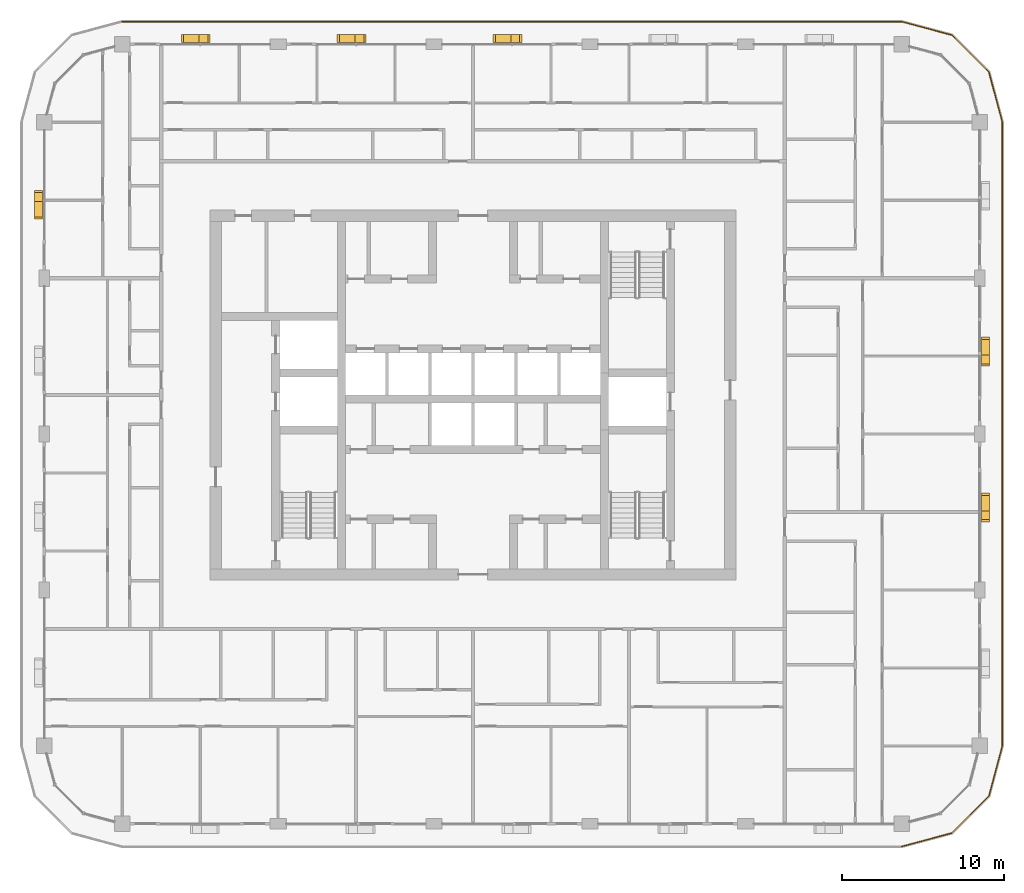
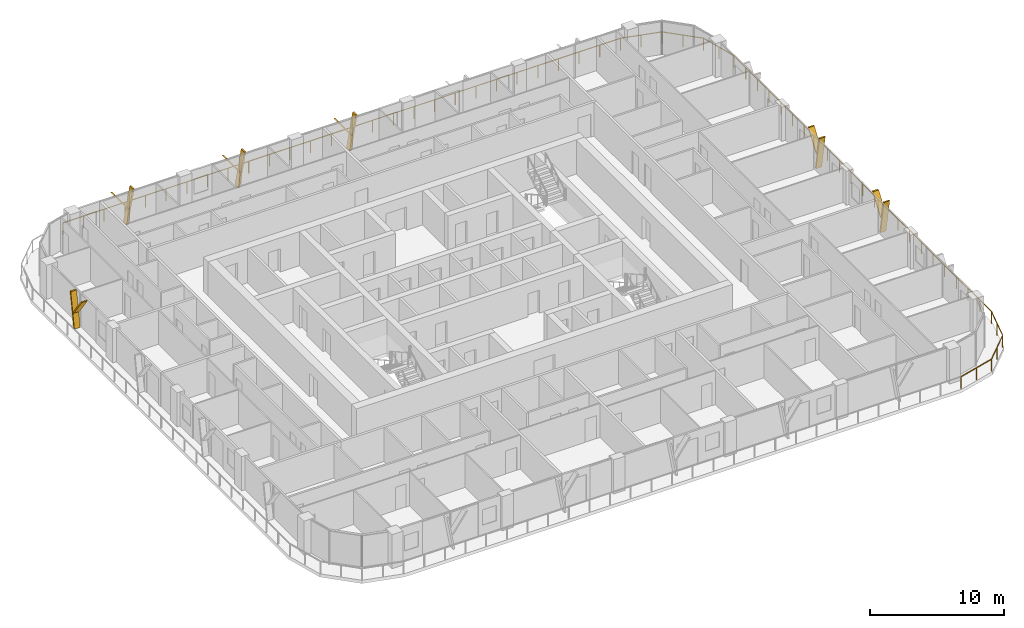
# One storey, part 21 of 22: 12 shading devices, 1 railing.
"""IFC4 building model written with IfcOpenShell, lengths in metres."""

from ifc_helpers import new_model, si_unit, direction, frame, origin, origin_2d, place, context, subcontext, project, spatial, polyline, circle, outline, extrude, material, type_object, element, save


model = new_model("IFC4")

# Units and contexts
model_context = context("Model", 3, precision=1e-05, world=origin(), true_north=direction((0.0, 1.0)))
body_context = subcontext(model_context, "Body", "Model", "MODEL_VIEW")
ifc_project = project(units=[si_unit("LENGTHUNIT", "METRE"), si_unit("AREAUNIT", "SQUARE_METRE"), si_unit("VOLUMEUNIT", "CUBIC_METRE"), si_unit("PLANEANGLEUNIT", "RADIAN"), si_unit("MASSUNIT", "GRAM", prefix="KILO")], contexts=[model_context])

# Site, building, storey
site_placement = place(None, origin())
site = spatial("IfcSite", under=ifc_project, at=site_placement, CompositionType="ELEMENT")
building_placement = place(site_placement, origin())
building = spatial("IfcBuilding", under=site, at=building_placement, Name="Madar Terraces", CompositionType="ELEMENT")
storey_placement = place(building_placement, frame((0.0, 0.0, 199.89990234375)))
storey = spatial("IfcBuildingStorey", under=building, at=storey_placement, Name="L52", CompositionType="ELEMENT", Elevation=199.89990234375)

# Railing
ifc_material_1 = material(Name="Glass, safety glazing, with stainless steel posts", Category="steel")
railing_type = type_object("IfcRailingType", Name="Balcony glass guard 1100", PredefinedType="GUARDRAIL", material=ifc_material_1)
railing_placement = place(storey_placement, frame((57.60009765625, -1.39990234375, 0.0)))
element("IfcRailing", 1, at=railing_placement, inside=storey, type_object=railing_type, Name="Balcony guard", PredefinedType="GUARDRAIL", context=body_context, shape_type="SweptSolid", body=[
    extrude(circle(Radius=0.02392578125, at=origin_2d()), frame((0.0, 0.0, 1.076171875), z_axis=(0.965928696102, 0.258808334578, 0.0), x_axis=(-0.258808334578, 0.965928696102, 0.0)), (0.0, 0.0, 1.0), 3.209228515625),
    extrude(circle(Radius=0.02392578125, at=origin_2d()), frame((3.099853515625, 0.83056640625, 1.076171875), z_axis=(0.707144815061, 0.707068745266, 0.0), x_axis=(-0.707068745266, 0.707144815061, 0.0)), (0.0, 0.0, 1.0), 3.20947265625),
    extrude(circle(Radius=0.02392578125, at=origin_2d()), frame((5.369384765625, 3.099853515625, 1.076171875), z_axis=(0.258789317819, 0.9659337912, 0.0), x_axis=(-0.9659337912, 0.258789317819, 0.0)), (0.0, 0.0, 1.0), 3.20947265625),
    extrude(circle(Radius=0.02392578125, at=origin_2d()), frame((6.199951171875, 6.199951171875, 1.076171875), z_axis=(0.0, 1.0, 0.0), x_axis=(-1.0, 0.0, 0.0)), (0.0, 0.0, 1.0), 38.39990234375),
    extrude(circle(Radius=0.02392578125, at=origin_2d()), frame((6.199951171875, 44.599853515625, 1.076171875), z_axis=(-0.258789317819, 0.9659337912, 0.0), x_axis=(-0.9659337912, -0.258789317819, 0.0)), (0.0, 0.0, 1.0), 3.20947265625),
    extrude(circle(Radius=0.02392578125, at=origin_2d()), frame((5.369384765625, 47.699951171875, 1.076171875), z_axis=(-0.707144815061, 0.707068745266, 0.0), x_axis=(-0.707068745266, -0.707144815061, 0.0)), (0.0, 0.0, 1.0), 3.20947265625),
    extrude(circle(Radius=0.02392578125, at=origin_2d()), frame((3.099853515625, 49.96923828125, 1.076171875), z_axis=(-0.965928696102, 0.258808334578, 0.0), x_axis=(-0.258808334578, -0.965928696102, 0.0)), (0.0, 0.0, 1.0), 3.209228515625),
    extrude(circle(Radius=0.02392578125, at=origin_2d()), frame((0.0, 50.7998046875, 1.076171875), z_axis=(-1.0, 0.0, 0.0), x_axis=(0.0, -1.0, 0.0)), (0.0, 0.0, 1.0), 48.0),
    extrude(circle(Radius=0.02099609375, at=origin_2d()), origin(), (0.0, 0.0, 1.0), 1.052001953125),
    extrude(circle(Radius=0.02099609375, at=origin_2d()), frame((1.5498046875, 0.415283203125, 0.0)), (0.0, 0.0, 1.0), 1.052001953125),
    extrude(circle(Radius=0.02099609375, at=origin_2d()), frame((3.099853515625, 0.83056640625, 0.0)), (0.0, 0.0, 1.0), 1.052001953125),
    extrude(circle(Radius=0.02099609375, at=origin_2d()), frame((4.234619140625, 1.96533203125, 0.0)), (0.0, 0.0, 1.0), 1.052001953125),
    extrude(circle(Radius=0.02099609375, at=origin_2d()), frame((5.369384765625, 3.099853515625, 0.0)), (0.0, 0.0, 1.0), 1.052001953125),
    extrude(circle(Radius=0.02099609375, at=origin_2d()), frame((5.78466796875, 4.64990234375, 0.0)), (0.0, 0.0, 1.0), 1.052001953125),
    extrude(circle(Radius=0.02099609375, at=origin_2d()), frame((6.199951171875, 6.199951171875, 0.0)), (0.0, 0.0, 1.0), 1.052001953125),
    extrude(circle(Radius=0.02099609375, at=origin_2d()), frame((6.199951171875, 7.9453125, 0.0)), (0.0, 0.0, 1.0), 1.052001953125),
    extrude(circle(Radius=0.02099609375, at=origin_2d()), frame((6.199951171875, 9.69091796875, 0.0)), (0.0, 0.0, 1.0), 1.052001953125),
    extrude(circle(Radius=0.02099609375, at=origin_2d()), frame((6.199951171875, 11.436279296875, 0.0)), (0.0, 0.0, 1.0), 1.052001953125),
    extrude(circle(Radius=0.02099609375, at=origin_2d()), frame((6.199951171875, 13.181640625, 0.0)), (0.0, 0.0, 1.0), 1.052001953125),
    extrude(circle(Radius=0.02099609375, at=origin_2d()), frame((6.199951171875, 14.92724609375, 0.0)), (0.0, 0.0, 1.0), 1.052001953125),
    extrude(circle(Radius=0.02099609375, at=origin_2d()), frame((6.199951171875, 16.672607421875, 0.0)), (0.0, 0.0, 1.0), 1.052001953125),
    extrude(circle(Radius=0.02099609375, at=origin_2d()), frame((6.199951171875, 18.418212890625, 0.0)), (0.0, 0.0, 1.0), 1.052001953125),
    extrude(circle(Radius=0.02099609375, at=origin_2d()), frame((6.199951171875, 20.16357421875, 0.0)), (0.0, 0.0, 1.0), 1.052001953125),
    extrude(circle(Radius=0.02099609375, at=origin_2d()), frame((6.199951171875, 21.908935546875, 0.0)), (0.0, 0.0, 1.0), 1.052001953125),
    extrude(circle(Radius=0.02099609375, at=origin_2d()), frame((6.199951171875, 23.654541015625, 0.0)), (0.0, 0.0, 1.0), 1.052001953125),
    extrude(circle(Radius=0.02099609375, at=origin_2d()), frame((6.199951171875, 25.39990234375, 0.0)), (0.0, 0.0, 1.0), 1.052001953125),
    extrude(circle(Radius=0.02099609375, at=origin_2d()), frame((6.199951171875, 27.145263671875, 0.0)), (0.0, 0.0, 1.0), 1.052001953125),
    extrude(circle(Radius=0.02099609375, at=origin_2d()), frame((6.199951171875, 28.890869140625, 0.0)), (0.0, 0.0, 1.0), 1.052001953125),
    extrude(circle(Radius=0.02099609375, at=origin_2d()), frame((6.199951171875, 30.63623046875, 0.0)), (0.0, 0.0, 1.0), 1.052001953125),
    extrude(circle(Radius=0.02099609375, at=origin_2d()), frame((6.199951171875, 32.381591796875, 0.0)), (0.0, 0.0, 1.0), 1.052001953125),
    extrude(circle(Radius=0.02099609375, at=origin_2d()), frame((6.199951171875, 34.127197265625, 0.0)), (0.0, 0.0, 1.0), 1.052001953125),
    extrude(circle(Radius=0.02099609375, at=origin_2d()), frame((6.199951171875, 35.87255859375, 0.0)), (0.0, 0.0, 1.0), 1.052001953125),
    extrude(circle(Radius=0.02099609375, at=origin_2d()), frame((6.199951171875, 37.6181640625, 0.0)), (0.0, 0.0, 1.0), 1.052001953125),
    extrude(circle(Radius=0.02099609375, at=origin_2d()), frame((6.199951171875, 39.363525390625, 0.0)), (0.0, 0.0, 1.0), 1.052001953125),
    extrude(circle(Radius=0.02099609375, at=origin_2d()), frame((6.199951171875, 41.10888671875, 0.0)), (0.0, 0.0, 1.0), 1.052001953125),
    extrude(circle(Radius=0.02099609375, at=origin_2d()), frame((6.199951171875, 42.8544921875, 0.0)), (0.0, 0.0, 1.0), 1.052001953125),
    extrude(circle(Radius=0.02099609375, at=origin_2d()), frame((6.199951171875, 44.599853515625, 0.0)), (0.0, 0.0, 1.0), 1.052001953125),
    extrude(circle(Radius=0.02099609375, at=origin_2d()), frame((5.78466796875, 46.14990234375, 0.0)), (0.0, 0.0, 1.0), 1.052001953125),
    extrude(circle(Radius=0.02099609375, at=origin_2d()), frame((5.369384765625, 47.699951171875, 0.0)), (0.0, 0.0, 1.0), 1.052001953125),
    extrude(circle(Radius=0.02099609375, at=origin_2d()), frame((4.234619140625, 48.83447265625, 0.0)), (0.0, 0.0, 1.0), 1.052001953125),
    extrude(circle(Radius=0.02099609375, at=origin_2d()), frame((3.099853515625, 49.96923828125, 0.0)), (0.0, 0.0, 1.0), 1.052001953125),
    extrude(circle(Radius=0.02099609375, at=origin_2d()), frame((1.5498046875, 50.384521484375, 0.0)), (0.0, 0.0, 1.0), 1.052001953125),
    extrude(circle(Radius=0.02099609375, at=origin_2d()), frame((0.0, 50.7998046875, 0.0)), (0.0, 0.0, 1.0), 1.052001953125),
    extrude(circle(Radius=0.02099609375, at=origin_2d()), frame((-1.77783203125, 50.7998046875, 0.0)), (0.0, 0.0, 1.0), 1.052001953125),
    extrude(circle(Radius=0.02099609375, at=origin_2d()), frame((-3.5556640625, 50.7998046875, 0.0)), (0.0, 0.0, 1.0), 1.052001953125),
    extrude(circle(Radius=0.02099609375, at=origin_2d()), frame((-5.333251953125, 50.7998046875, 0.0)), (0.0, 0.0, 1.0), 1.052001953125),
    extrude(circle(Radius=0.02099609375, at=origin_2d()), frame((-7.111083984375, 50.7998046875, 0.0)), (0.0, 0.0, 1.0), 1.052001953125),
    extrude(circle(Radius=0.02099609375, at=origin_2d()), frame((-8.888916015625, 50.7998046875, 0.0)), (0.0, 0.0, 1.0), 1.052001953125),
    extrude(circle(Radius=0.02099609375, at=origin_2d()), frame((-10.666748046875, 50.7998046875, 0.0)), (0.0, 0.0, 1.0), 1.052001953125),
    extrude(circle(Radius=0.02099609375, at=origin_2d()), frame((-12.4443359375, 50.7998046875, 0.0)), (0.0, 0.0, 1.0), 1.052001953125),
    extrude(circle(Radius=0.02099609375, at=origin_2d()), frame((-14.22216796875, 50.7998046875, 0.0)), (0.0, 0.0, 1.0), 1.052001953125),
    extrude(circle(Radius=0.02099609375, at=origin_2d()), frame((-16.0, 50.7998046875, 0.0)), (0.0, 0.0, 1.0), 1.052001953125),
    extrude(circle(Radius=0.02099609375, at=origin_2d()), frame((-17.77783203125, 50.7998046875, 0.0)), (0.0, 0.0, 1.0), 1.052001953125),
    extrude(circle(Radius=0.02099609375, at=origin_2d()), frame((-19.5556640625, 50.7998046875, 0.0)), (0.0, 0.0, 1.0), 1.052001953125),
    extrude(circle(Radius=0.02099609375, at=origin_2d()), frame((-21.333251953125, 50.7998046875, 0.0)), (0.0, 0.0, 1.0), 1.052001953125),
    extrude(circle(Radius=0.02099609375, at=origin_2d()), frame((-23.111083984375, 50.7998046875, 0.0)), (0.0, 0.0, 1.0), 1.052001953125),
    extrude(circle(Radius=0.02099609375, at=origin_2d()), frame((-24.888916015625, 50.7998046875, 0.0)), (0.0, 0.0, 1.0), 1.052001953125),
    extrude(circle(Radius=0.02099609375, at=origin_2d()), frame((-26.666748046875, 50.7998046875, 0.0)), (0.0, 0.0, 1.0), 1.052001953125),
    extrude(circle(Radius=0.02099609375, at=origin_2d()), frame((-28.4443359375, 50.7998046875, 0.0)), (0.0, 0.0, 1.0), 1.052001953125),
    extrude(circle(Radius=0.02099609375, at=origin_2d()), frame((-30.22216796875, 50.7998046875, 0.0)), (0.0, 0.0, 1.0), 1.052001953125),
    extrude(circle(Radius=0.02099609375, at=origin_2d()), frame((-32.0, 50.7998046875, 0.0)), (0.0, 0.0, 1.0), 1.052001953125),
    extrude(circle(Radius=0.02099609375, at=origin_2d()), frame((-33.77783203125, 50.7998046875, 0.0)), (0.0, 0.0, 1.0), 1.052001953125),
    extrude(circle(Radius=0.02099609375, at=origin_2d()), frame((-35.5556640625, 50.7998046875, 0.0)), (0.0, 0.0, 1.0), 1.052001953125),
    extrude(circle(Radius=0.02099609375, at=origin_2d()), frame((-37.333251953125, 50.7998046875, 0.0)), (0.0, 0.0, 1.0), 1.052001953125),
    extrude(circle(Radius=0.02099609375, at=origin_2d()), frame((-39.111083984375, 50.7998046875, 0.0)), (0.0, 0.0, 1.0), 1.052001953125),
    extrude(circle(Radius=0.02099609375, at=origin_2d()), frame((-40.888916015625, 50.7998046875, 0.0)), (0.0, 0.0, 1.0), 1.052001953125),
    extrude(circle(Radius=0.02099609375, at=origin_2d()), frame((-42.666748046875, 50.7998046875, 0.0)), (0.0, 0.0, 1.0), 1.052001953125),
    extrude(circle(Radius=0.02099609375, at=origin_2d()), frame((-44.4443359375, 50.7998046875, 0.0)), (0.0, 0.0, 1.0), 1.052001953125),
    extrude(circle(Radius=0.02099609375, at=origin_2d()), frame((-46.22216796875, 50.7998046875, 0.0)), (0.0, 0.0, 1.0), 1.052001953125),
    extrude(circle(Radius=0.02099609375, at=origin_2d()), frame((-48.0, 50.7998046875, 0.0)), (0.0, 0.0, 1.0), 1.052001953125),
])

# Shading devices
ifc_material_2 = material(Name="Aluminium, black anodised", Category="aluminium")
shading_device_type = type_object("IfcShadingDeviceType", Name="Facade fin blade 140 x 500", PredefinedType="USERDEFINED", material=ifc_material_2)
shading_device_1_placement = place(storey_placement, frame((62.75, 19.1298828125, 0.0), z_axis=(0.0, 0.0, 1.0), x_axis=(0.0, 1.0, 0.0)))
element("IfcShadingDevice", 2, at=shading_device_1_placement, inside=storey, type_object=shading_device_type, Name="FIN L52 E2", ObjectType="FIN", PredefinedType="USERDEFINED", context=body_context, shape_type="SweptSolid", body=[
    extrude(outline(polyline([(0.0, 0.0), (0.14013671875, 0.0), (-0.403076171875, 3.080078125), (-0.54296875, 3.080078125), (0.0, 0.0)])), frame((0.0, 0.25, 0.0), z_axis=(0.0, -1.0, 0.0), x_axis=(1.0, 0.0, 0.0)), (0.0, 0.0, 1.0), 0.5),
])
shading_device_2_placement = place(storey_placement, frame((62.75, 19.025634765625, 1.385986328125), z_axis=(0.0, 0.0, 1.0), x_axis=(0.0, 1.0, 0.0)))
element("IfcShadingDevice", 3, at=shading_device_2_placement, inside=storey, type_object=shading_device_type, Name="FIN L52 E2 branch", ObjectType="FIN", PredefinedType="USERDEFINED", context=body_context, shape_type="SweptSolid", body=[
    extrude(outline(polyline([(0.0, 0.0), (0.139892578125, 0.0), (1.34130859375, 1.694091796875), (1.201416015625, 1.694091796875), (0.0, 0.0)])), frame((0.0, 0.25, 0.0), z_axis=(0.0, -1.0, 0.0), x_axis=(1.0, 0.0, 0.0)), (0.0, 0.0, 1.0), 0.5),
])
shading_device_3_placement = place(storey_placement, frame((62.75, 28.72998046875, 0.0), z_axis=(0.0, 0.0, 1.0), x_axis=(0.0, 1.0, 0.0)))
element("IfcShadingDevice", 4, at=shading_device_3_placement, inside=storey, type_object=shading_device_type, Name="FIN L52 E3", ObjectType="FIN", PredefinedType="USERDEFINED", context=body_context, shape_type="SweptSolid", body=[
    extrude(outline(polyline([(0.0, 0.0), (0.14013671875, 0.0), (-0.403076171875, 3.080078125), (-0.54296875, 3.080078125), (0.0, 0.0)])), frame((0.0, 0.25, 0.0), z_axis=(0.0, -1.0, 0.0), x_axis=(1.0, 0.0, 0.0)), (0.0, 0.0, 1.0), 0.5),
])
shading_device_4_placement = place(storey_placement, frame((62.75, 28.625732421875, 1.385986328125), z_axis=(0.0, 0.0, 1.0), x_axis=(0.0, 1.0, 0.0)))
element("IfcShadingDevice", 5, at=shading_device_4_placement, inside=storey, type_object=shading_device_type, Name="FIN L52 E3 branch", ObjectType="FIN", PredefinedType="USERDEFINED", context=body_context, shape_type="SweptSolid", body=[
    extrude(outline(polyline([(0.0, 0.0), (0.139892578125, 0.0), (1.34130859375, 1.694091796875), (1.201416015625, 1.694091796875), (0.0, 0.0)])), frame((0.0, 0.25, 0.0), z_axis=(0.0, -1.0, 0.0), x_axis=(1.0, 0.0, 0.0)), (0.0, 0.0, 1.0), 0.5),
])
shading_device_5_placement = place(storey_placement, frame((33.669921875, 48.35009765625, 0.0), z_axis=(0.0, 0.0, 1.0), x_axis=(-1.0, 0.0, 0.0)))
element("IfcShadingDevice", 6, at=shading_device_5_placement, inside=storey, type_object=shading_device_type, Name="FIN L52 N3", ObjectType="FIN", PredefinedType="USERDEFINED", context=body_context, shape_type="SweptSolid", body=[
    extrude(outline(polyline([(0.0, 0.0), (0.139892578125, 0.0), (-0.403076171875, 3.080078125), (-0.54296875, 3.080078125), (0.0, 0.0)])), frame((0.0, 0.25, 0.0), z_axis=(0.0, -1.0, 0.0), x_axis=(1.0, 0.0, 0.0)), (0.0, 0.0, 1.0), 0.5),
])
shading_device_6_placement = place(storey_placement, frame((33.7744140625, 48.35009765625, 1.385986328125), z_axis=(0.0, 0.0, 1.0), x_axis=(-1.0, 0.0, 0.0)))
element("IfcShadingDevice", 7, at=shading_device_6_placement, inside=storey, type_object=shading_device_type, Name="FIN L52 N3 branch", ObjectType="FIN", PredefinedType="USERDEFINED", context=body_context, shape_type="SweptSolid", body=[
    extrude(outline(polyline([(0.0, 0.0), (0.14013671875, 0.0), (1.34130859375, 1.694091796875), (1.201416015625, 1.694091796875), (0.0, 0.0)])), frame((0.0, 0.25, 0.0), z_axis=(0.0, -1.0, 0.0), x_axis=(1.0, 0.0, 0.0)), (0.0, 0.0, 1.0), 0.5),
])
shading_device_7_placement = place(storey_placement, frame((24.070068359375, 48.35009765625, 0.0), z_axis=(0.0, 0.0, 1.0), x_axis=(-1.0, 0.0, 0.0)))
element("IfcShadingDevice", 8, at=shading_device_7_placement, inside=storey, type_object=shading_device_type, Name="FIN L52 N4", ObjectType="FIN", PredefinedType="USERDEFINED", context=body_context, shape_type="SweptSolid", body=[
    extrude(outline(polyline([(0.0, 0.0), (0.14013671875, 0.0), (-0.403076171875, 3.080078125), (-0.54296875, 3.080078125), (0.0, 0.0)])), frame((0.0, 0.25, 0.0), z_axis=(0.0, -1.0, 0.0), x_axis=(1.0, 0.0, 0.0)), (0.0, 0.0, 1.0), 0.5),
])
shading_device_8_placement = place(storey_placement, frame((24.17431640625, 48.35009765625, 1.385986328125), z_axis=(0.0, 0.0, 1.0), x_axis=(-1.0, 0.0, 0.0)))
element("IfcShadingDevice", 9, at=shading_device_8_placement, inside=storey, type_object=shading_device_type, Name="FIN L52 N4 branch", ObjectType="FIN", PredefinedType="USERDEFINED", context=body_context, shape_type="SweptSolid", body=[
    extrude(outline(polyline([(0.0, 0.0), (0.139892578125, 0.0), (1.34130859375, 1.694091796875), (1.201416015625, 1.694091796875), (0.0, 0.0)])), frame((0.0, 0.25, 0.0), z_axis=(0.0, -1.0, 0.0), x_axis=(1.0, 0.0, 0.0)), (0.0, 0.0, 1.0), 0.5),
])
shading_device_9_placement = place(storey_placement, frame((14.469970703125, 48.35009765625, 0.0), z_axis=(0.0, 0.0, 1.0), x_axis=(-1.0, 0.0, 0.0)))
element("IfcShadingDevice", 10, at=shading_device_9_placement, inside=storey, type_object=shading_device_type, Name="FIN L52 N5", ObjectType="FIN", PredefinedType="USERDEFINED", context=body_context, shape_type="SweptSolid", body=[
    extrude(outline(polyline([(0.0, 0.0), (0.139892578125, 0.0), (-0.403076171875, 3.080078125), (-0.54296875, 3.080078125), (0.0, 0.0)])), frame((0.0, 0.25, 0.0), z_axis=(0.0, -1.0, 0.0), x_axis=(1.0, 0.0, 0.0)), (0.0, 0.0, 1.0), 0.5),
])
shading_device_10_placement = place(storey_placement, frame((14.574462890625, 48.35009765625, 1.385986328125), z_axis=(0.0, 0.0, 1.0), x_axis=(-1.0, 0.0, 0.0)))
element("IfcShadingDevice", 11, at=shading_device_10_placement, inside=storey, type_object=shading_device_type, Name="FIN L52 N5 branch", ObjectType="FIN", PredefinedType="USERDEFINED", context=body_context, shape_type="SweptSolid", body=[
    extrude(outline(polyline([(0.0, 0.0), (0.14013671875, 0.0), (1.34130859375, 1.694091796875), (1.201416015625, 1.694091796875), (0.0, 0.0)])), frame((0.0, 0.25, 0.0), z_axis=(0.0, -1.0, 0.0), x_axis=(1.0, 0.0, 0.0)), (0.0, 0.0, 1.0), 0.5),
])
shading_device_11_placement = place(storey_placement, frame((4.449951171875, 38.469970703125, 0.0), z_axis=(0.0, 0.0, 1.0), x_axis=(0.0, -1.0, 0.0)))
element("IfcShadingDevice", 12, at=shading_device_11_placement, inside=storey, type_object=shading_device_type, Name="FIN L52 W1", ObjectType="FIN", PredefinedType="USERDEFINED", context=body_context, shape_type="SweptSolid", body=[
    extrude(outline(polyline([(0.0, 0.0), (0.139892578125, 0.0), (-0.403076171875, 3.080078125), (-0.54296875, 3.080078125), (0.0, 0.0)])), frame((0.0, 0.25, 0.0), z_axis=(0.0, -1.0, 0.0), x_axis=(1.0, 0.0, 0.0)), (0.0, 0.0, 1.0), 0.5),
])
shading_device_12_placement = place(storey_placement, frame((4.449951171875, 38.574462890625, 1.385986328125), z_axis=(0.0, 0.0, 1.0), x_axis=(0.0, -1.0, 0.0)))
element("IfcShadingDevice", 13, at=shading_device_12_placement, inside=storey, type_object=shading_device_type, Name="FIN L52 W1 branch", ObjectType="FIN", PredefinedType="USERDEFINED", context=body_context, shape_type="SweptSolid", body=[
    extrude(outline(polyline([(0.0, 0.0), (0.14013671875, 0.0), (1.34130859375, 1.694091796875), (1.201416015625, 1.694091796875), (0.0, 0.0)])), frame((0.0, 0.25, 0.0), z_axis=(0.0, -1.0, 0.0), x_axis=(1.0, 0.0, 0.0)), (0.0, 0.0, 1.0), 0.5),
])

save(model, "model.ifc")
